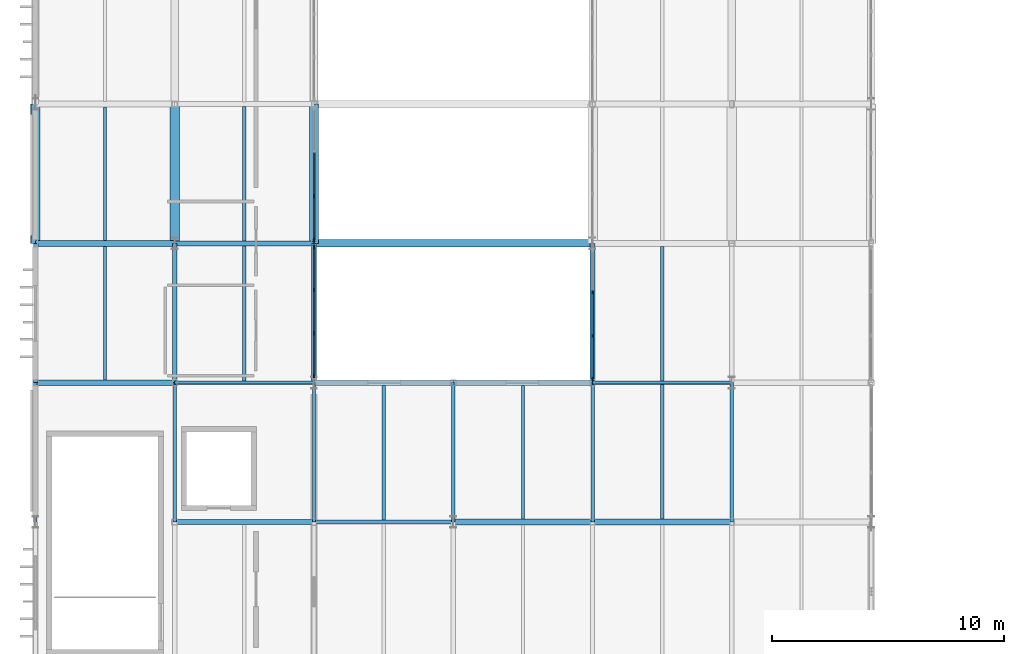
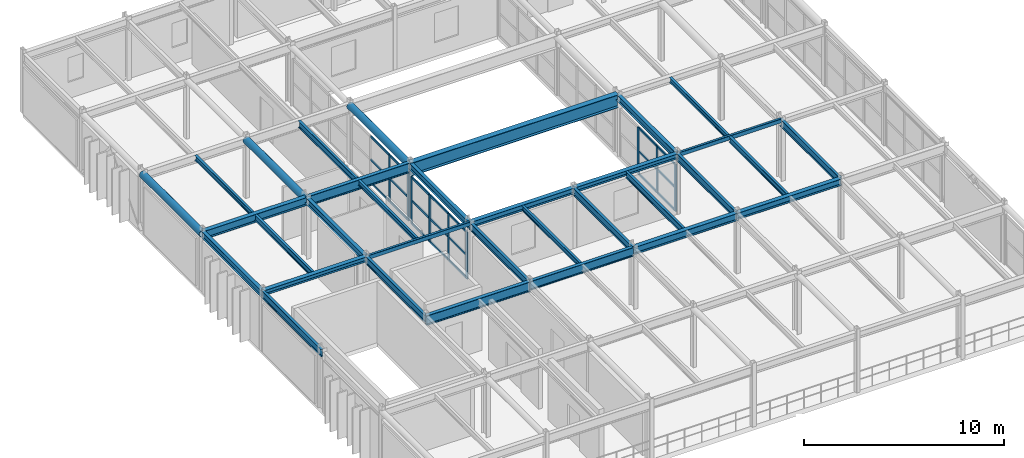
# One storey, part 11 of 63: 33 beams, 30 members, 3 elements without a shape of their own.
"""IFC4 building model written with IfcOpenShell, lengths in metres."""

from ifc_helpers import new_model, si_unit, direction, frame, origin, origin_2d, place, context, subcontext, project, spatial, rectangle, hollow_rectangle, hollow_circle, i_section, extrude, material, material_profile, profile_set, type_object, element, aggregate, save


model = new_model("IFC4")

# Units and contexts
model_context = context("Model", 3, precision=1e-05, world=origin(), true_north=direction((0.0, 1.0)))
body_context = subcontext(model_context, "Body", "Model", "MODEL_VIEW")
ifc_project = project(units=[si_unit("LENGTHUNIT", "METRE"), si_unit("AREAUNIT", "SQUARE_METRE"), si_unit("VOLUMEUNIT", "CUBIC_METRE"), si_unit("PLANEANGLEUNIT", "RADIAN"), si_unit("MASSUNIT", "GRAM", prefix="KILO")], contexts=[model_context])

# Site, building, storey
site_placement = place(None, origin())
site = spatial("IfcSite", under=ifc_project, at=site_placement, CompositionType="ELEMENT")
building_placement = place(site_placement, origin())
building = spatial("IfcBuilding", under=site, at=building_placement, Name="Varnakota Square Police Headquarters", CompositionType="ELEMENT")
storey_placement = place(building_placement, frame((0.0, 0.0, 22.199951171875)))
storey = spatial("IfcBuildingStorey", under=building, at=storey_placement, Name="L05", CompositionType="ELEMENT", Elevation=22.199951171875)

# Beams
ifc_material_1 = material(Name="Steel IS 2062 Grade 350", Category="steel")
ifc_material_profile_1 = material_profile(ifc_material_1, hollow_circle(Radius=0.203125, WallThickness=0.01611328125, at=origin_2d()), Name="CHS 406.4x16.0")
ifc_profile_set_1 = profile_set([ifc_material_profile_1], Name="Steel IS 2062 Grade 350")
beam_type_1 = type_object("IfcBeamType", Name="BM-ARC-CHS406", PredefinedType="BEAM", material=ifc_profile_set_1)
for number, where, z_axis, x_axis, name in (
    (1, (6.0, 45.0, 3.48681640625), (0.0, 1.0, 0.0), (-1.0, 0.0, 0.0), "BMG-L05-3164"),
    (2, (12.0, 45.0, 3.48681640625), (0.0, 1.0, 0.0), (-1.0, 0.0, 0.0), "BMG-L05-3171"),
    (3, (18.0, 45.0, 3.48681640625), (0.0, 1.0, 0.0), (-1.0, 0.0, 0.0), "BMG-L05-3178"),
):
    element("IfcBeam", number, at=place(storey_placement, frame(where, z_axis=z_axis, x_axis=x_axis)), inside=storey, type_object=beam_type_1, Name=name, PredefinedType="BEAM", context=body_context, shape_type="SweptSolid", body=[
        extrude(hollow_circle(Radius=0.203125, WallThickness=0.01611328125, at=origin_2d()), origin(), (0.0, 0.0, 1.0), 6.0),
    ])
ifc_material_profile_2 = material_profile(ifc_material_1, i_section(OverallWidth=0.320068359375, OverallDepth=0.800048828125, WebThickness=0.01611328125, FlangeThickness=0.028076171875, at=origin_2d()), Name="BPG 800x320")
ifc_profile_set_2 = profile_set([ifc_material_profile_2], Name="Steel IS 2062 Grade 350")
beam_type_2 = type_object("IfcBeamType", Name="BM-BPG800", PredefinedType="BEAM", material=ifc_profile_set_2)
beam_1_placement = place(storey_placement, frame((18.0, 45.0, 3.2900390625), z_axis=(1.0, 0.0, 0.0), x_axis=(0.0, 1.0, 0.0)))
element("IfcBeam", 4, at=beam_1_placement, inside=storey, type_object=beam_type_2, Name="BMG-L05-3137", PredefinedType="BEAM", context=body_context, shape_type="SweptSolid", body=[
    extrude(i_section(OverallWidth=0.320068359375, OverallDepth=0.800048828125, WebThickness=0.01611328125, FlangeThickness=0.028076171875, at=origin_2d()), origin(), (0.0, 0.0, 1.0), 12.0),
])
ifc_material_profile_3 = material_profile(ifc_material_1, hollow_rectangle(XDim=0.14990234375, YDim=0.25, WallThickness=0.010009765625, InnerFilletRadius=0.010009765625, OuterFilletRadius=0.02001953125, at=origin_2d()), Name="RHS 250x150x10")
ifc_profile_set_3 = profile_set([ifc_material_profile_3], Name="Steel IS 2062 Grade 350")
beam_type_3 = type_object("IfcBeamType", Name="BM-CBEAM-RHS250", PredefinedType="BEAM", material=ifc_profile_set_3)
for number, where, z_axis, x_axis, name in (
    (5, (12.0, 39.0, 3.56494140625), (1.0, 0.0, 0.0), (0.0, 1.0, 0.0), "BMG-L05-3126"),
    (6, (30.0, 39.0, 3.56494140625), (1.0, 0.0, 0.0), (0.0, 1.0, 0.0), "BMG-L05-3129"),
):
    element("IfcBeam", number, at=place(storey_placement, frame(where, z_axis=z_axis, x_axis=x_axis)), inside=storey, type_object=beam_type_3, Name=name, PredefinedType="BEAM", context=body_context, shape_type="SweptSolid", body=[
        extrude(hollow_rectangle(XDim=0.14990234375, YDim=0.25, WallThickness=0.010009765625, InnerFilletRadius=0.010009765625, OuterFilletRadius=0.02001953125, at=origin_2d()), origin(), (0.0, 0.0, 1.0), 6.0),
    ])
ifc_material_profile_4 = material_profile(ifc_material_1, i_section(OverallWidth=0.25, OverallDepth=0.300048828125, WebThickness=0.009521484375, FlangeThickness=0.010498046875, FilletRadius=0.011962890625, at=origin_2d()), Name="ISHB 300")
ifc_profile_set_4 = profile_set([ifc_material_profile_4], Name="Steel IS 2062 Grade 350")
beam_type_4 = type_object("IfcBeamType", Name="BM-ISHB300", PredefinedType="BEAM", material=ifc_profile_set_4)
for number, where, z_axis, x_axis, name in (
    (7, (6.0, 39.0, 3.5400390625), (1.0, 0.0, 0.0), (0.0, 1.0, 0.0), "BMG-L05-3125"),
    (8, (24.0, 39.0, 3.5400390625), (1.0, 0.0, 0.0), (0.0, 1.0, 0.0), "BMG-L05-3128"),
):
    element("IfcBeam", number, at=place(storey_placement, frame(where, z_axis=z_axis, x_axis=x_axis)), inside=storey, type_object=beam_type_4, Name=name, PredefinedType="BEAM", context=body_context, shape_type="SweptSolid", body=[
        extrude(i_section(OverallWidth=0.25, OverallDepth=0.300048828125, WebThickness=0.009521484375, FlangeThickness=0.010498046875, FilletRadius=0.011962890625, at=origin_2d()), origin(), (0.0, 0.0, 1.0), 6.0),
    ])
ifc_material_profile_5 = material_profile(ifc_material_1, i_section(OverallWidth=0.25, OverallDepth=0.35009765625, WebThickness=0.010009765625, FlangeThickness=0.01171875, FilletRadius=0.011962890625, at=origin_2d()), Name="ISHB 350")
ifc_profile_set_5 = profile_set([ifc_material_profile_5], Name="Steel IS 2062 Grade 350")
beam_type_5 = type_object("IfcBeamType", Name="BM-ISHB350", PredefinedType="BEAM", material=ifc_profile_set_5)
beam_2_placement = place(storey_placement, frame((18.0, 39.0, 3.51513671875), z_axis=(1.0, 0.0, 0.0), x_axis=(0.0, 1.0, 0.0)))
element("IfcBeam", 9, at=beam_2_placement, inside=storey, type_object=beam_type_5, Name="BMG-L05-3127", PredefinedType="BEAM", context=body_context, shape_type="SweptSolid", body=[
    extrude(i_section(OverallWidth=0.25, OverallDepth=0.35009765625, WebThickness=0.010009765625, FlangeThickness=0.01171875, FilletRadius=0.011962890625, at=origin_2d()), origin(), (0.0, 0.0, 1.0), 6.0),
])
ifc_material_profile_6 = material_profile(ifc_material_1, i_section(OverallWidth=0.25, OverallDepth=0.39990234375, WebThickness=0.010498046875, FlangeThickness=0.0126953125, FilletRadius=0.013916015625, at=origin_2d()), Name="ISHB 400")
ifc_profile_set_6 = profile_set([ifc_material_profile_6], Name="Steel IS 2062 Grade 350")
beam_type_6 = type_object("IfcBeamType", Name="BM-ISHB400", PredefinedType="BEAM", material=ifc_profile_set_6)
beam_3_placement = place(storey_placement, frame((30.0, 33.0, 3.489990234375), z_axis=(1.0, 0.0, 0.0), x_axis=(0.0, 1.0, 0.0)))
element("IfcBeam", 10, at=beam_3_placement, inside=storey, type_object=beam_type_6, Name="BMG-L05-3120", PredefinedType="BEAM", context=body_context, shape_type="SweptSolid", body=[
    extrude(i_section(OverallWidth=0.25, OverallDepth=0.39990234375, WebThickness=0.010498046875, FlangeThickness=0.0126953125, FilletRadius=0.013916015625, at=origin_2d()), origin(), (0.0, 0.0, 1.0), 6.0),
])
ifc_material_profile_7 = material_profile(ifc_material_1, i_section(OverallWidth=0.25, OverallDepth=0.449951171875, WebThickness=0.01123046875, FlangeThickness=0.013671875, FilletRadius=0.014892578125, at=origin_2d()), Name="ISHB 450")
ifc_profile_set_7 = profile_set([ifc_material_profile_7], Name="Steel IS 2062 Grade 350")
beam_type_7 = type_object("IfcBeamType", Name="BM-ISHB450", PredefinedType="BEAM", material=ifc_profile_set_7)
beam_4_placement = place(storey_placement, frame((24.0, 33.0, 3.465087890625), z_axis=(1.0, 0.0, 0.0), x_axis=(0.0, 1.0, 0.0)))
element("IfcBeam", 11, at=beam_4_placement, inside=storey, type_object=beam_type_7, Name="BMG-L05-3119", PredefinedType="BEAM", context=body_context, shape_type="SweptSolid", body=[
    extrude(i_section(OverallWidth=0.25, OverallDepth=0.449951171875, WebThickness=0.01123046875, FlangeThickness=0.013671875, FilletRadius=0.014892578125, at=origin_2d()), origin(), (0.0, 0.0, 1.0), 6.0),
])
ifc_material_profile_8 = material_profile(ifc_material_1, i_section(OverallWidth=0.139892578125, OverallDepth=0.300048828125, WebThickness=0.0078125, FlangeThickness=0.01318359375, FilletRadius=0.013916015625, at=origin_2d()), Name="ISMB 300")
ifc_profile_set_8 = profile_set([ifc_material_profile_8], Name="Steel IS 2062 Grade 350")
beam_type_8 = type_object("IfcBeamType", Name="BM-ISMB300", PredefinedType="JOIST", material=ifc_profile_set_8)
beam_5_placement = place(storey_placement, frame((9.0, 45.123046875, 3.5400390625), z_axis=(0.0, 1.0, 0.0), x_axis=(-1.0, 0.0, 0.0)))
element("IfcBeam", 12, at=beam_5_placement, inside=storey, type_object=beam_type_8, Name="BMG-L05-3248", PredefinedType="JOIST", context=body_context, shape_type="SweptSolid", body=[
    extrude(i_section(OverallWidth=0.139892578125, OverallDepth=0.300048828125, WebThickness=0.0078125, FlangeThickness=0.01318359375, FilletRadius=0.013916015625, at=origin_2d()), origin(), (0.0, 0.0, 1.0), 5.75390625),
])
beam_6_placement = place(storey_placement, frame((15.0, 39.072998046875, 3.5400390625), z_axis=(0.0, 1.0, 0.0), x_axis=(-1.0, 0.0, 0.0)))
element("IfcBeam", 13, at=beam_6_placement, inside=storey, type_object=beam_type_8, Name="BMG-L05-3253", PredefinedType="JOIST", context=body_context, shape_type="SweptSolid", body=[
    extrude(i_section(OverallWidth=0.139892578125, OverallDepth=0.300048828125, WebThickness=0.0078125, FlangeThickness=0.01318359375, FilletRadius=0.013916015625, at=origin_2d()), origin(), (0.0, 0.0, 1.0), 5.823974609375),
])
beam_7_placement = place(storey_placement, frame((21.0, 33.093017578125, 3.5400390625), z_axis=(0.0, 1.0, 0.0), x_axis=(-1.0, 0.0, 0.0)))
element("IfcBeam", 14, at=beam_7_placement, inside=storey, type_object=beam_type_8, Name="BMG-L05-3259", PredefinedType="JOIST", context=body_context, shape_type="SweptSolid", body=[
    extrude(i_section(OverallWidth=0.139892578125, OverallDepth=0.300048828125, WebThickness=0.0078125, FlangeThickness=0.01318359375, FilletRadius=0.013916015625, at=origin_2d()), origin(), (0.0, 0.0, 1.0), 5.783935546875),
])
beam_8_placement = place(storey_placement, frame((33.0, 39.072998046875, 3.5400390625), z_axis=(0.0, 1.0, 0.0), x_axis=(-1.0, 0.0, 0.0)))
element("IfcBeam", 15, at=beam_8_placement, inside=storey, type_object=beam_type_8, Name="BMG-L05-3268", PredefinedType="JOIST", context=body_context, shape_type="SweptSolid", body=[
    extrude(i_section(OverallWidth=0.139892578125, OverallDepth=0.300048828125, WebThickness=0.0078125, FlangeThickness=0.01318359375, FilletRadius=0.013916015625, at=origin_2d()), origin(), (0.0, 0.0, 1.0), 5.803955078125),
])
ifc_material_profile_9 = material_profile(ifc_material_1, i_section(OverallWidth=0.139892578125, OverallDepth=0.35009765625, WebThickness=0.008056640625, FlangeThickness=0.01416015625, FilletRadius=0.013916015625, at=origin_2d()), Name="ISMB 350")
ifc_profile_set_9 = profile_set([ifc_material_profile_9], Name="Steel IS 2062 Grade 350")
beam_type_9 = type_object("IfcBeamType", Name="BM-ISMB350", PredefinedType="JOIST", material=ifc_profile_set_9)
beam_9_placement = place(storey_placement, frame((9.0, 39.123046875, 3.51513671875), z_axis=(0.0, 1.0, 0.0), x_axis=(-1.0, 0.0, 0.0)))
element("IfcBeam", 16, at=beam_9_placement, inside=storey, type_object=beam_type_9, Name="BMG-L05-3247", PredefinedType="JOIST", context=body_context, shape_type="SweptSolid", body=[
    extrude(i_section(OverallWidth=0.139892578125, OverallDepth=0.35009765625, WebThickness=0.008056640625, FlangeThickness=0.01416015625, FilletRadius=0.013916015625, at=origin_2d()), origin(), (0.0, 0.0, 1.0), 5.75390625),
])
beam_10_placement = place(storey_placement, frame((33.0, 33.123046875, 3.51513671875), z_axis=(0.0, 1.0, 0.0), x_axis=(-1.0, 0.0, 0.0)))
element("IfcBeam", 17, at=beam_10_placement, inside=storey, type_object=beam_type_9, Name="BMG-L05-3267", PredefinedType="JOIST", context=body_context, shape_type="SweptSolid", body=[
    extrude(i_section(OverallWidth=0.139892578125, OverallDepth=0.35009765625, WebThickness=0.008056640625, FlangeThickness=0.01416015625, FilletRadius=0.013916015625, at=origin_2d()), origin(), (0.0, 0.0, 1.0), 5.803955078125),
])
ifc_material_profile_10 = material_profile(ifc_material_1, i_section(OverallWidth=0.139892578125, OverallDepth=0.39990234375, WebThickness=0.0087890625, FlangeThickness=0.01611328125, FilletRadius=0.013916015625, at=origin_2d()), Name="ISMB 400")
ifc_profile_set_10 = profile_set([ifc_material_profile_10], Name="Steel IS 2062 Grade 350")
beam_type_10 = type_object("IfcBeamType", Name="BM-ISMB400", PredefinedType="JOIST", material=ifc_profile_set_10)
beam_11_placement = place(storey_placement, frame((15.0, 45.10302734375, 3.489990234375), z_axis=(0.0, 1.0, 0.0), x_axis=(-1.0, 0.0, 0.0)))
element("IfcBeam", 18, at=beam_11_placement, inside=storey, type_object=beam_type_10, Name="BMG-L05-3254", PredefinedType="JOIST", context=body_context, shape_type="SweptSolid", body=[
    extrude(i_section(OverallWidth=0.139892578125, OverallDepth=0.39990234375, WebThickness=0.0087890625, FlangeThickness=0.01611328125, FilletRadius=0.013916015625, at=origin_2d()), origin(), (0.0, 0.0, 1.0), 5.7939453125),
])
beam_12_placement = place(storey_placement, frame((27.0, 33.123046875, 3.489990234375), z_axis=(0.0, 1.0, 0.0), x_axis=(-1.0, 0.0, 0.0)))
element("IfcBeam", 19, at=beam_12_placement, inside=storey, type_object=beam_type_10, Name="BMG-L05-3263", PredefinedType="JOIST", context=body_context, shape_type="SweptSolid", body=[
    extrude(i_section(OverallWidth=0.139892578125, OverallDepth=0.39990234375, WebThickness=0.0087890625, FlangeThickness=0.01611328125, FilletRadius=0.013916015625, at=origin_2d()), origin(), (0.0, 0.0, 1.0), 5.75390625),
])
ifc_material_profile_11 = material_profile(ifc_material_1, i_section(OverallWidth=0.14990234375, OverallDepth=0.449951171875, WebThickness=0.009521484375, FlangeThickness=0.017333984375, FilletRadius=0.014892578125, at=origin_2d()), Name="ISMB 450")
ifc_profile_set_11 = profile_set([ifc_material_profile_11], Name="Steel IS 2062 Grade 350")
beam_type_11 = type_object("IfcBeamType", Name="BM-ISMB450", PredefinedType="BEAM", material=ifc_profile_set_11)
for number, where, z_axis, x_axis, name in (
    (20, (6.0, 33.0, 3.465087890625), (0.0, 1.0, 0.0), (-1.0, 0.0, 0.0), "BMG-L05-3162"),
    (21, (12.0, 33.0, 3.465087890625), (0.0, 1.0, 0.0), (-1.0, 0.0, 0.0), "BMG-L05-3169"),
    (22, (18.0, 33.0, 3.465087890625), (0.0, 1.0, 0.0), (-1.0, 0.0, 0.0), "BMG-L05-3176"),
    (23, (24.0, 33.0, 3.465087890625), (0.0, 1.0, 0.0), (-1.0, 0.0, 0.0), "BMG-L05-3183"),
    (24, (30.0, 33.0, 3.465087890625), (0.0, 1.0, 0.0), (-1.0, 0.0, 0.0), "BMG-L05-3187"),
    (25, (36.0, 33.0, 3.465087890625), (0.0, 1.0, 0.0), (-1.0, 0.0, 0.0), "BMG-L05-3194"),
):
    element("IfcBeam", number, at=place(storey_placement, frame(where, z_axis=z_axis, x_axis=x_axis)), inside=storey, type_object=beam_type_11, Name=name, PredefinedType="BEAM", context=body_context, shape_type="SweptSolid", body=[
        extrude(i_section(OverallWidth=0.14990234375, OverallDepth=0.449951171875, WebThickness=0.009521484375, FlangeThickness=0.017333984375, FilletRadius=0.014892578125, at=origin_2d()), origin(), (0.0, 0.0, 1.0), 6.0),
    ])
ifc_material_profile_12 = material_profile(ifc_material_1, i_section(OverallWidth=0.18994140625, OverallDepth=0.550048828125, WebThickness=0.01123046875, FlangeThickness=0.019287109375, FilletRadius=0.01806640625, at=origin_2d()), Name="ISMB 550")
ifc_profile_set_12 = profile_set([ifc_material_profile_12], Name="Steel IS 2062 Grade 350")
beam_type_12 = type_object("IfcBeamType", Name="BM-ISMB550", PredefinedType="BEAM", material=ifc_profile_set_12)
beam_13_placement = place(storey_placement, frame((18.0, 33.0, 3.4150390625), z_axis=(1.0, 0.0, 0.0), x_axis=(0.0, 1.0, 0.0)))
element("IfcBeam", 26, at=beam_13_placement, inside=storey, type_object=beam_type_12, Name="BMG-L05-3118", PredefinedType="BEAM", context=body_context, shape_type="SweptSolid", body=[
    extrude(i_section(OverallWidth=0.18994140625, OverallDepth=0.550048828125, WebThickness=0.01123046875, FlangeThickness=0.019287109375, FilletRadius=0.01806640625, at=origin_2d()), origin(), (0.0, 0.0, 1.0), 6.0),
])
ifc_material_profile_13 = material_profile(ifc_material_1, i_section(OverallWidth=0.2099609375, OverallDepth=0.60009765625, WebThickness=0.011962890625, FlangeThickness=0.020751953125, FilletRadius=0.02001953125, at=origin_2d()), Name="ISMB 600")
ifc_profile_set_13 = profile_set([ifc_material_profile_13], Name="Steel IS 2062 Grade 350")
beam_type_13 = type_object("IfcBeamType", Name="BM-ISMB600", PredefinedType="BEAM", material=ifc_profile_set_13)
for number, where, z_axis, x_axis, name in (
    (27, (12.0, 33.0, 3.39013671875), (1.0, 0.0, 0.0), (0.0, 1.0, 0.0), "BMG-L05-3117"),
    (28, (12.0, 45.0, 3.39013671875), (1.0, 0.0, 0.0), (0.0, 1.0, 0.0), "BMG-L05-3136"),
):
    element("IfcBeam", number, at=place(storey_placement, frame(where, z_axis=z_axis, x_axis=x_axis)), inside=storey, type_object=beam_type_13, Name=name, PredefinedType="BEAM", context=body_context, shape_type="SweptSolid", body=[
        extrude(i_section(OverallWidth=0.2099609375, OverallDepth=0.60009765625, WebThickness=0.011962890625, FlangeThickness=0.020751953125, FilletRadius=0.02001953125, at=origin_2d()), origin(), (0.0, 0.0, 1.0), 6.0),
    ])
ifc_material_profile_14 = material_profile(ifc_material_1, i_section(OverallWidth=0.199951171875, OverallDepth=0.39990234375, WebThickness=0.008544921875, FlangeThickness=0.012939453125, FilletRadius=0.012939453125, at=origin_2d()), Name="ISWB 400")
ifc_profile_set_14 = profile_set([ifc_material_profile_14], Name="Steel IS 2062 Grade 350")
beam_type_14 = type_object("IfcBeamType", Name="BM-ISWB400", PredefinedType="BEAM", material=ifc_profile_set_14)
for number, where, z_axis, x_axis, name in (
    (29, (6.0, 39.0, 3.489990234375), (0.0, 1.0, 0.0), (-1.0, 0.0, 0.0), "BMG-L05-3163"),
    (30, (12.0, 39.0, 3.489990234375), (0.0, 1.0, 0.0), (-1.0, 0.0, 0.0), "BMG-L05-3170"),
    (31, (18.0, 39.0, 3.489990234375), (0.0, 1.0, 0.0), (-1.0, 0.0, 0.0), "BMG-L05-3177"),
    (32, (30.0, 39.0, 3.489990234375), (0.0, 1.0, 0.0), (-1.0, 0.0, 0.0), "BMG-L05-3188"),
):
    element("IfcBeam", number, at=place(storey_placement, frame(where, z_axis=z_axis, x_axis=x_axis)), inside=storey, type_object=beam_type_14, Name=name, PredefinedType="BEAM", context=body_context, shape_type="SweptSolid", body=[
        extrude(i_section(OverallWidth=0.199951171875, OverallDepth=0.39990234375, WebThickness=0.008544921875, FlangeThickness=0.012939453125, FilletRadius=0.012939453125, at=origin_2d()), origin(), (0.0, 0.0, 1.0), 6.0),
    ])
ifc_material_profile_15 = material_profile(ifc_material_1, i_section(OverallWidth=0.25, OverallDepth=0.5, WebThickness=0.010009765625, FlangeThickness=0.0146484375, FilletRadius=0.014892578125, at=origin_2d()), Name="ISWB 500")
ifc_profile_set_15 = profile_set([ifc_material_profile_15], Name="Steel IS 2062 Grade 350")
beam_type_15 = type_object("IfcBeamType", Name="BM-ISWB500", PredefinedType="BEAM", material=ifc_profile_set_15)
beam_14_placement = place(storey_placement, frame((6.0, 45.0, 3.43994140625), z_axis=(1.0, 0.0, 0.0), x_axis=(0.0, 1.0, 0.0)))
element("IfcBeam", 33, at=beam_14_placement, inside=storey, type_object=beam_type_15, Name="BMG-L05-3135", PredefinedType="BEAM", context=body_context, shape_type="SweptSolid", body=[
    extrude(i_section(OverallWidth=0.25, OverallDepth=0.5, WebThickness=0.010009765625, FlangeThickness=0.0146484375, FilletRadius=0.014892578125, at=origin_2d()), origin(), (0.0, 0.0, 1.0), 6.0),
])

# Curtain wall, members
ifc_material_2 = material(Name="Anodised Aluminium Framing", Category="aluminium")
curtain_wall_type = type_object("IfcCurtainWallType", Name="CW-SYS-F", PredefinedType="NOTDEFINED", material=ifc_material_2)
curtain_wall_1_placement = place(storey_placement, origin())
curtain_wall_1 = element("IfcCurtainWall", 34, at=curtain_wall_1_placement, inside=storey, type_object=curtain_wall_type, Name="Unitised curtain wall CWG-L05-198", PredefinedType="NOTDEFINED")
ifc_material_3 = material(Name="Anodised Aluminium 6063-T6", Category="aluminium")
ifc_material_profile_16 = material_profile(ifc_material_3, rectangle(XDim=0.06494140625, YDim=0.159912109375, at=origin_2d()), Name="ALU MULLION 65x160")
ifc_profile_set_16 = profile_set([ifc_material_profile_16], Name="Anodised Aluminium 6063-T6")
member_type_1 = type_object("IfcMemberType", Name="CWM-150", PredefinedType="MULLION", material=ifc_profile_set_16)
member_1_placement = place(storey_placement, frame((18.0, 39.28759765625, 0.0), z_axis=(0.0, 0.0, 1.0), x_axis=(-1.0, 0.0, 0.0)))
member_1 = element("IfcMember", 35, at=member_1_placement, type_object=member_type_1, Name="CWG-L05-198 mullion 1", PredefinedType="MULLION", context=body_context, shape_type="SweptSolid", body=[
    extrude(rectangle(XDim=0.06494140625, YDim=0.159912109375, at=origin_2d()), origin(), (0.0, 0.0, 1.0), 2.880126953125),
])
member_2_placement = place(storey_placement, frame((18.0, 41.126708984375, 0.0), z_axis=(0.0, 0.0, 1.0), x_axis=(-1.0, 0.0, 0.0)))
member_2 = element("IfcMember", 36, at=member_2_placement, type_object=member_type_1, Name="CWG-L05-198 mullion 2", PredefinedType="MULLION", context=body_context, shape_type="SweptSolid", body=[
    extrude(rectangle(XDim=0.06494140625, YDim=0.159912109375, at=origin_2d()), origin(), (0.0, 0.0, 1.0), 2.880126953125),
])
member_3_placement = place(storey_placement, frame((18.0, 42.998291015625, 0.0), z_axis=(0.0, 0.0, 1.0), x_axis=(-1.0, 0.0, 0.0)))
member_3 = element("IfcMember", 37, at=member_3_placement, type_object=member_type_1, Name="CWG-L05-198 mullion 3", PredefinedType="MULLION", context=body_context, shape_type="SweptSolid", body=[
    extrude(rectangle(XDim=0.06494140625, YDim=0.159912109375, at=origin_2d()), origin(), (0.0, 0.0, 1.0), 2.880126953125),
])
member_4_placement = place(storey_placement, frame((18.0, 44.83740234375, 0.0), z_axis=(0.0, 0.0, 1.0), x_axis=(-1.0, 0.0, 0.0)))
member_4 = element("IfcMember", 38, at=member_4_placement, type_object=member_type_1, Name="CWG-L05-198 mullion 4", PredefinedType="MULLION", context=body_context, shape_type="SweptSolid", body=[
    extrude(rectangle(XDim=0.06494140625, YDim=0.159912109375, at=origin_2d()), origin(), (0.0, 0.0, 1.0), 2.880126953125),
])

curtain_wall_2_placement = place(storey_placement, origin())
curtain_wall_2 = element("IfcCurtainWall", 39, at=curtain_wall_2_placement, inside=storey, type_object=curtain_wall_type, Name="Unitised curtain wall CWG-L05-199", PredefinedType="NOTDEFINED")
member_5_placement = place(storey_placement, frame((30.0, 39.1875, 0.0), z_axis=(0.0, 0.0, 1.0), x_axis=(-1.0, 0.0, 0.0)))
member_5 = element("IfcMember", 40, at=member_5_placement, type_object=member_type_1, Name="CWG-L05-199 mullion 1", PredefinedType="MULLION", context=body_context, shape_type="SweptSolid", body=[
    extrude(rectangle(XDim=0.06494140625, YDim=0.159912109375, at=origin_2d()), origin(), (0.0, 0.0, 1.0), 2.880126953125),
])
member_6_placement = place(storey_placement, frame((30.0, 41.018310546875, 0.0), z_axis=(0.0, 0.0, 1.0), x_axis=(-1.0, 0.0, 0.0)))
member_6 = element("IfcMember", 41, at=member_6_placement, type_object=member_type_1, Name="CWG-L05-199 mullion 2", PredefinedType="MULLION", context=body_context, shape_type="SweptSolid", body=[
    extrude(rectangle(XDim=0.06494140625, YDim=0.159912109375, at=origin_2d()), origin(), (0.0, 0.0, 1.0), 2.880126953125),
])
member_7_placement = place(storey_placement, frame((30.0, 42.881591796875, 0.0), z_axis=(0.0, 0.0, 1.0), x_axis=(-1.0, 0.0, 0.0)))
member_7 = element("IfcMember", 42, at=member_7_placement, type_object=member_type_1, Name="CWG-L05-199 mullion 3", PredefinedType="MULLION", context=body_context, shape_type="SweptSolid", body=[
    extrude(rectangle(XDim=0.06494140625, YDim=0.159912109375, at=origin_2d()), origin(), (0.0, 0.0, 1.0), 2.880126953125),
])

curtain_wall_3_placement = place(storey_placement, origin())
curtain_wall_3 = element("IfcCurtainWall", 43, at=curtain_wall_3_placement, inside=storey, type_object=curtain_wall_type, Name="Unitised curtain wall CWG-L05-200", PredefinedType="NOTDEFINED")
member_8_placement = place(storey_placement, frame((18.0, 45.16259765625, 0.0), z_axis=(0.0, 0.0, 1.0), x_axis=(-1.0, 0.0, 0.0)))
member_8 = element("IfcMember", 44, at=member_8_placement, type_object=member_type_1, Name="CWG-L05-200 mullion 1", PredefinedType="MULLION", context=body_context, shape_type="SweptSolid", body=[
    extrude(rectangle(XDim=0.06494140625, YDim=0.159912109375, at=origin_2d()), origin(), (0.0, 0.0, 1.0), 2.880126953125),
])
member_9_placement = place(storey_placement, frame((18.0, 47.034912109375, 0.0), z_axis=(0.0, 0.0, 1.0), x_axis=(-1.0, 0.0, 0.0)))
member_9 = element("IfcMember", 45, at=member_9_placement, type_object=member_type_1, Name="CWG-L05-200 mullion 2", PredefinedType="MULLION", context=body_context, shape_type="SweptSolid", body=[
    extrude(rectangle(XDim=0.06494140625, YDim=0.159912109375, at=origin_2d()), origin(), (0.0, 0.0, 1.0), 2.880126953125),
])

# Member
ifc_material_profile_17 = material_profile(ifc_material_3, rectangle(XDim=0.06494140625, YDim=0.1298828125, at=origin_2d()), Name="ALU TRANSOM 65x130")
ifc_profile_set_17 = profile_set([ifc_material_profile_17], Name="Anodised Aluminium 6063-T6")
member_type_2 = type_object("IfcMemberType", Name="CWT-120", PredefinedType="USERDEFINED", material=ifc_profile_set_17)
member_10_placement = place(storey_placement, frame((18.0, 39.320068359375, 0.032470703125), z_axis=(0.0, 1.0, 0.0), x_axis=(-1.0, 0.0, 0.0)))
member_10 = element("IfcMember", 46, at=member_10_placement, type_object=member_type_2, Name="CWG-L05-198 transom 1.1", ObjectType="TRANSOM", PredefinedType="USERDEFINED", context=body_context, shape_type="SweptSolid", body=[
    extrude(rectangle(XDim=0.06494140625, YDim=0.1298828125, at=origin_2d()), origin(), (0.0, 0.0, 1.0), 1.774169921875),
])

member_11_placement = place(storey_placement, frame((18.0, 39.320068359375, 1.43994140625), z_axis=(0.0, 1.0, 0.0), x_axis=(-1.0, 0.0, 0.0)))
member_11 = element("IfcMember", 47, at=member_11_placement, type_object=member_type_2, Name="CWG-L05-198 transom 1.2", ObjectType="TRANSOM", PredefinedType="USERDEFINED", context=body_context, shape_type="SweptSolid", body=[
    extrude(rectangle(XDim=0.06494140625, YDim=0.1298828125, at=origin_2d()), origin(), (0.0, 0.0, 1.0), 1.774169921875),
])

member_12_placement = place(storey_placement, frame((18.0, 39.320068359375, 2.84765625), z_axis=(0.0, 1.0, 0.0), x_axis=(-1.0, 0.0, 0.0)))
member_12 = element("IfcMember", 48, at=member_12_placement, type_object=member_type_2, Name="CWG-L05-198 transom 1.3", ObjectType="TRANSOM", PredefinedType="USERDEFINED", context=body_context, shape_type="SweptSolid", body=[
    extrude(rectangle(XDim=0.06494140625, YDim=0.1298828125, at=origin_2d()), origin(), (0.0, 0.0, 1.0), 1.774169921875),
])

member_13_placement = place(storey_placement, frame((18.0, 41.1591796875, 0.032470703125), z_axis=(0.0, 1.0, 0.0), x_axis=(-1.0, 0.0, 0.0)))
member_13 = element("IfcMember", 49, at=member_13_placement, type_object=member_type_2, Name="CWG-L05-198 transom 2.1", ObjectType="TRANSOM", PredefinedType="USERDEFINED", context=body_context, shape_type="SweptSolid", body=[
    extrude(rectangle(XDim=0.06494140625, YDim=0.1298828125, at=origin_2d()), origin(), (0.0, 0.0, 1.0), 1.806640625),
])

member_14_placement = place(storey_placement, frame((18.0, 41.1591796875, 1.43994140625), z_axis=(0.0, 1.0, 0.0), x_axis=(-1.0, 0.0, 0.0)))
member_14 = element("IfcMember", 50, at=member_14_placement, type_object=member_type_2, Name="CWG-L05-198 transom 2.2", ObjectType="TRANSOM", PredefinedType="USERDEFINED", context=body_context, shape_type="SweptSolid", body=[
    extrude(rectangle(XDim=0.06494140625, YDim=0.1298828125, at=origin_2d()), origin(), (0.0, 0.0, 1.0), 1.806640625),
])

member_15_placement = place(storey_placement, frame((18.0, 41.1591796875, 2.84765625), z_axis=(0.0, 1.0, 0.0), x_axis=(-1.0, 0.0, 0.0)))
member_15 = element("IfcMember", 51, at=member_15_placement, type_object=member_type_2, Name="CWG-L05-198 transom 2.3", ObjectType="TRANSOM", PredefinedType="USERDEFINED", context=body_context, shape_type="SweptSolid", body=[
    extrude(rectangle(XDim=0.06494140625, YDim=0.1298828125, at=origin_2d()), origin(), (0.0, 0.0, 1.0), 1.806640625),
])

member_16_placement = place(storey_placement, frame((18.0, 43.03076171875, 0.032470703125), z_axis=(0.0, 1.0, 0.0), x_axis=(-1.0, 0.0, 0.0)))
member_16 = element("IfcMember", 52, at=member_16_placement, type_object=member_type_2, Name="CWG-L05-198 transom 3.1", ObjectType="TRANSOM", PredefinedType="USERDEFINED", context=body_context, shape_type="SweptSolid", body=[
    extrude(rectangle(XDim=0.06494140625, YDim=0.1298828125, at=origin_2d()), origin(), (0.0, 0.0, 1.0), 1.774169921875),
])

member_17_placement = place(storey_placement, frame((18.0, 43.03076171875, 1.43994140625), z_axis=(0.0, 1.0, 0.0), x_axis=(-1.0, 0.0, 0.0)))
member_17 = element("IfcMember", 53, at=member_17_placement, type_object=member_type_2, Name="CWG-L05-198 transom 3.2", ObjectType="TRANSOM", PredefinedType="USERDEFINED", context=body_context, shape_type="SweptSolid", body=[
    extrude(rectangle(XDim=0.06494140625, YDim=0.1298828125, at=origin_2d()), origin(), (0.0, 0.0, 1.0), 1.774169921875),
])

member_18_placement = place(storey_placement, frame((18.0, 43.03076171875, 2.84765625), z_axis=(0.0, 1.0, 0.0), x_axis=(-1.0, 0.0, 0.0)))
member_18 = element("IfcMember", 54, at=member_18_placement, type_object=member_type_2, Name="CWG-L05-198 transom 3.3", ObjectType="TRANSOM", PredefinedType="USERDEFINED", context=body_context, shape_type="SweptSolid", body=[
    extrude(rectangle(XDim=0.06494140625, YDim=0.1298828125, at=origin_2d()), origin(), (0.0, 0.0, 1.0), 1.774169921875),
])

aggregate(curtain_wall_1, [member_1, member_2, member_3, member_4, member_10, member_11, member_12, member_13, member_14, member_15, member_16, member_17, member_18])

member_19_placement = place(storey_placement, frame((30.0, 39.219970703125, 0.032470703125), z_axis=(0.0, 1.0, 0.0), x_axis=(-1.0, 0.0, 0.0)))
member_19 = element("IfcMember", 55, at=member_19_placement, type_object=member_type_2, Name="CWG-L05-199 transom 1.1", ObjectType="TRANSOM", PredefinedType="USERDEFINED", context=body_context, shape_type="SweptSolid", body=[
    extrude(rectangle(XDim=0.06494140625, YDim=0.1298828125, at=origin_2d()), origin(), (0.0, 0.0, 1.0), 1.765869140625),
])

member_20_placement = place(storey_placement, frame((30.0, 39.219970703125, 1.43994140625), z_axis=(0.0, 1.0, 0.0), x_axis=(-1.0, 0.0, 0.0)))
member_20 = element("IfcMember", 56, at=member_20_placement, type_object=member_type_2, Name="CWG-L05-199 transom 1.2", ObjectType="TRANSOM", PredefinedType="USERDEFINED", context=body_context, shape_type="SweptSolid", body=[
    extrude(rectangle(XDim=0.06494140625, YDim=0.1298828125, at=origin_2d()), origin(), (0.0, 0.0, 1.0), 1.765869140625),
])

member_21_placement = place(storey_placement, frame((30.0, 39.219970703125, 2.84765625), z_axis=(0.0, 1.0, 0.0), x_axis=(-1.0, 0.0, 0.0)))
member_21 = element("IfcMember", 57, at=member_21_placement, type_object=member_type_2, Name="CWG-L05-199 transom 1.3", ObjectType="TRANSOM", PredefinedType="USERDEFINED", context=body_context, shape_type="SweptSolid", body=[
    extrude(rectangle(XDim=0.06494140625, YDim=0.1298828125, at=origin_2d()), origin(), (0.0, 0.0, 1.0), 1.765869140625),
])

member_22_placement = place(storey_placement, frame((30.0, 41.05078125, 0.032470703125), z_axis=(0.0, 1.0, 0.0), x_axis=(-1.0, 0.0, 0.0)))
member_22 = element("IfcMember", 58, at=member_22_placement, type_object=member_type_2, Name="CWG-L05-199 transom 2.1", ObjectType="TRANSOM", PredefinedType="USERDEFINED", context=body_context, shape_type="SweptSolid", body=[
    extrude(rectangle(XDim=0.06494140625, YDim=0.1298828125, at=origin_2d()), origin(), (0.0, 0.0, 1.0), 1.79833984375),
])

member_23_placement = place(storey_placement, frame((30.0, 41.05078125, 1.43994140625), z_axis=(0.0, 1.0, 0.0), x_axis=(-1.0, 0.0, 0.0)))
member_23 = element("IfcMember", 59, at=member_23_placement, type_object=member_type_2, Name="CWG-L05-199 transom 2.2", ObjectType="TRANSOM", PredefinedType="USERDEFINED", context=body_context, shape_type="SweptSolid", body=[
    extrude(rectangle(XDim=0.06494140625, YDim=0.1298828125, at=origin_2d()), origin(), (0.0, 0.0, 1.0), 1.79833984375),
])

member_24_placement = place(storey_placement, frame((30.0, 41.05078125, 2.84765625), z_axis=(0.0, 1.0, 0.0), x_axis=(-1.0, 0.0, 0.0)))
member_24 = element("IfcMember", 60, at=member_24_placement, type_object=member_type_2, Name="CWG-L05-199 transom 2.3", ObjectType="TRANSOM", PredefinedType="USERDEFINED", context=body_context, shape_type="SweptSolid", body=[
    extrude(rectangle(XDim=0.06494140625, YDim=0.1298828125, at=origin_2d()), origin(), (0.0, 0.0, 1.0), 1.79833984375),
])

aggregate(curtain_wall_2, [member_5, member_6, member_7, member_19, member_20, member_21, member_22, member_23, member_24])

member_25_placement = place(storey_placement, frame((18.0, 45.195068359375, 0.032470703125), z_axis=(0.0, 1.0, 0.0), x_axis=(-1.0, 0.0, 0.0)))
member_25 = element("IfcMember", 61, at=member_25_placement, type_object=member_type_2, Name="CWG-L05-200 transom 1.1", ObjectType="TRANSOM", PredefinedType="USERDEFINED", context=body_context, shape_type="SweptSolid", body=[
    extrude(rectangle(XDim=0.06494140625, YDim=0.1298828125, at=origin_2d()), origin(), (0.0, 0.0, 1.0), 1.807373046875),
])

member_26_placement = place(storey_placement, frame((18.0, 45.195068359375, 1.43994140625), z_axis=(0.0, 1.0, 0.0), x_axis=(-1.0, 0.0, 0.0)))
member_26 = element("IfcMember", 62, at=member_26_placement, type_object=member_type_2, Name="CWG-L05-200 transom 1.2", ObjectType="TRANSOM", PredefinedType="USERDEFINED", context=body_context, shape_type="SweptSolid", body=[
    extrude(rectangle(XDim=0.06494140625, YDim=0.1298828125, at=origin_2d()), origin(), (0.0, 0.0, 1.0), 1.807373046875),
])

member_27_placement = place(storey_placement, frame((18.0, 45.195068359375, 2.84765625), z_axis=(0.0, 1.0, 0.0), x_axis=(-1.0, 0.0, 0.0)))
member_27 = element("IfcMember", 63, at=member_27_placement, type_object=member_type_2, Name="CWG-L05-200 transom 1.3", ObjectType="TRANSOM", PredefinedType="USERDEFINED", context=body_context, shape_type="SweptSolid", body=[
    extrude(rectangle(XDim=0.06494140625, YDim=0.1298828125, at=origin_2d()), origin(), (0.0, 0.0, 1.0), 1.807373046875),
])

member_28_placement = place(storey_placement, frame((18.0, 47.0673828125, 0.032470703125), z_axis=(0.0, 1.0, 0.0), x_axis=(-1.0, 0.0, 0.0)))
member_28 = element("IfcMember", 64, at=member_28_placement, type_object=member_type_2, Name="CWG-L05-200 transom 2.1", ObjectType="TRANSOM", PredefinedType="USERDEFINED", context=body_context, shape_type="SweptSolid", body=[
    extrude(rectangle(XDim=0.06494140625, YDim=0.1298828125, at=origin_2d()), origin(), (0.0, 0.0, 1.0), 1.840087890625),
])

member_29_placement = place(storey_placement, frame((18.0, 47.0673828125, 1.43994140625), z_axis=(0.0, 1.0, 0.0), x_axis=(-1.0, 0.0, 0.0)))
member_29 = element("IfcMember", 65, at=member_29_placement, type_object=member_type_2, Name="CWG-L05-200 transom 2.2", ObjectType="TRANSOM", PredefinedType="USERDEFINED", context=body_context, shape_type="SweptSolid", body=[
    extrude(rectangle(XDim=0.06494140625, YDim=0.1298828125, at=origin_2d()), origin(), (0.0, 0.0, 1.0), 1.840087890625),
])

member_30_placement = place(storey_placement, frame((18.0, 47.0673828125, 2.84765625), z_axis=(0.0, 1.0, 0.0), x_axis=(-1.0, 0.0, 0.0)))
member_30 = element("IfcMember", 66, at=member_30_placement, type_object=member_type_2, Name="CWG-L05-200 transom 2.3", ObjectType="TRANSOM", PredefinedType="USERDEFINED", context=body_context, shape_type="SweptSolid", body=[
    extrude(rectangle(XDim=0.06494140625, YDim=0.1298828125, at=origin_2d()), origin(), (0.0, 0.0, 1.0), 1.840087890625),
])

aggregate(curtain_wall_3, [member_8, member_9, member_25, member_26, member_27, member_28, member_29, member_30])

save(model, "model.ifc")
